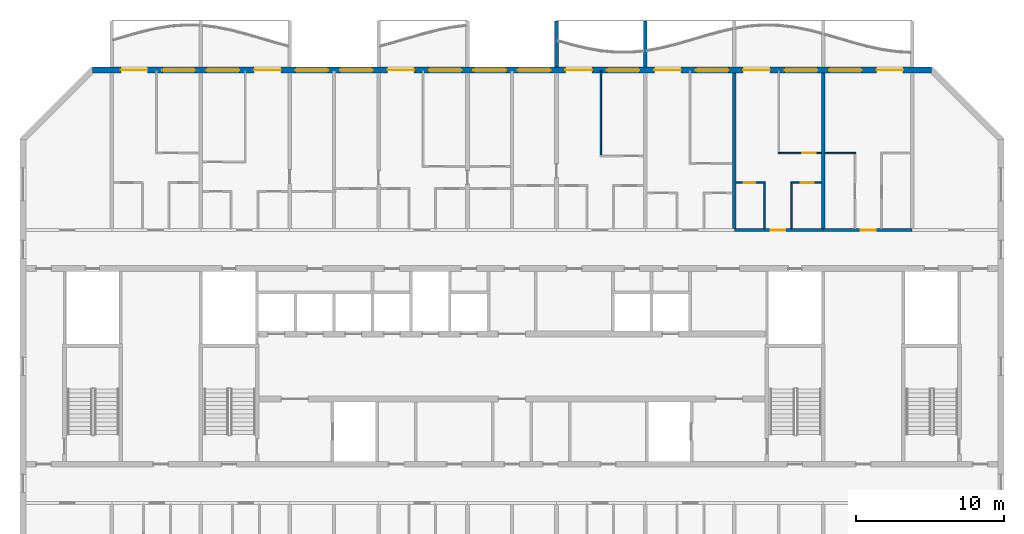
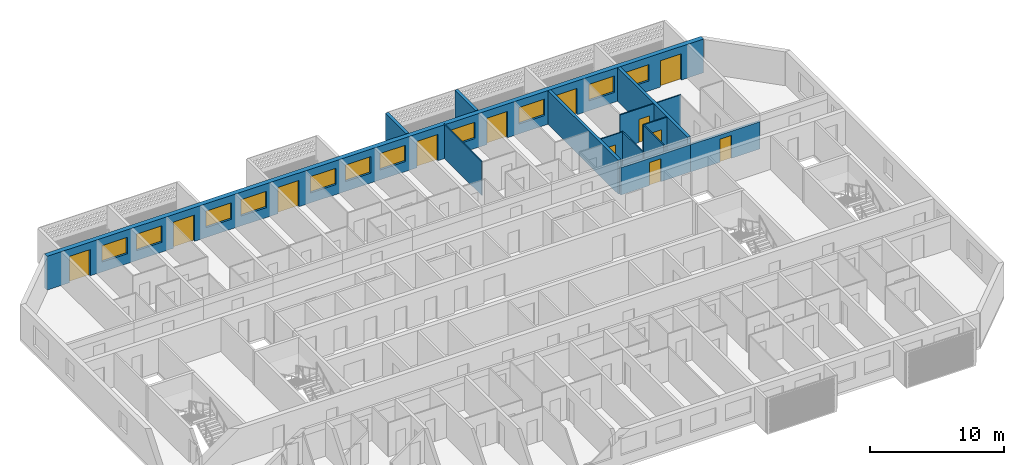
# One storey, part 10 of 28: 14 walls, 12 doors, 11 windows, 23 openings.
"""IFC4 building model written with IfcOpenShell, lengths in metres."""

from ifc_helpers import new_model, si_unit, direction, frame, frame_2d, origin, place, context, subcontext, project, spatial, polyline, rectangle, outline, extrude, source, transform, mapped, material, layer, layer_set, type_object, element, fill, save


model = new_model("IFC4")

# Units and contexts
model_context = context("Model", 3, precision=1e-05, world=origin(), true_north=direction((0.0, 1.0)))
body_context = subcontext(model_context, "Body", "Model", "MODEL_VIEW")
ifc_project = project(units=[si_unit("LENGTHUNIT", "METRE"), si_unit("AREAUNIT", "SQUARE_METRE"), si_unit("VOLUMEUNIT", "CUBIC_METRE"), si_unit("PLANEANGLEUNIT", "RADIAN"), si_unit("MASSUNIT", "GRAM", prefix="KILO")], contexts=[model_context])

# Site, building, storey
site_placement = place(None, origin())
site = spatial("IfcSite", under=ifc_project, at=site_placement, CompositionType="ELEMENT")
building_placement = place(site_placement, origin())
building = spatial("IfcBuilding", under=site, at=building_placement, Name="Poui Terraces", CompositionType="ELEMENT")
storey_placement = place(building_placement, frame((0.0, 0.0, 181.800048828125)))
storey = spatial("IfcBuildingStorey", under=building, at=storey_placement, Name="L50", CompositionType="ELEMENT", Elevation=181.800048828125)

# Wall, opening, door
ifc_material_1 = material(Name="Concrete 50 MPa", Category="concrete")
ifc_layer_1 = layer(ifc_material_1, 0.199951171875)
ifc_layer_set_1 = layer_set([ifc_layer_1], Name="Concrete 50 MPa")
wall_type_1 = type_object("IfcWallType", Name="CORRIDOR WALL 200 50MPa", PredefinedType="SHEAR", material=ifc_layer_set_1)
wall_1_placement = place(storey_placement, frame((66.0, 30.39990234375, 0.0), z_axis=(0.0, 0.0, 1.0), x_axis=(1.0, 0.0, 0.0)))
wall_1 = element("IfcWall", 1, at=wall_1_placement, inside=storey, type_object=wall_type_1, Name="CORRIDOR WALL LINE E BAY 9", PredefinedType="SHEAR", context=body_context, shape_type="SweptSolid", body=[
    extrude(rectangle(XDim=6.0, YDim=0.199951171875, at=frame_2d((3.0, 0.0))), origin(), (0.0, 0.0, 1.0), 2.47998046875),
])
opening_1_placement = place(wall_1_placement, frame((2.449951171875, 0.0, 0.0)))
opening_1 = element("IfcOpeningElement", 2, at=opening_1_placement, cuts=wall_1, Name="Opening FD30S", PredefinedType="OPENING", context=body_context, shape_type="SweptSolid", body=[
    extrude(rectangle(XDim=1.0, YDim=2.10009765625, at=frame_2d((0.5, 1.050048828125))), frame((0.0, 0.10986328125, 0.0), z_axis=(0.0, -1.0, 0.0), x_axis=(1.0, 0.0, 0.0)), (0.0, 0.0, 1.0), 0.219970703125),
])
ifc_material_2 = material(Name="Steel fire door", Category="steel")
door_type_1 = type_object("IfcDoorType", Name="FLAT ENTRANCE DOOR 1000 X 2100", OperationType="NOTDEFINED", PredefinedType="DOOR", material=ifc_material_2)
door_1_placement = place(opening_1_placement, origin())
door_1 = element("IfcDoor", 3, at=door_1_placement, inside=storey, type_object=door_type_1, Name="FLAT ENTRANCE DOOR 057", OperationType="SINGLE_SWING_LEFT", OverallHeight=2.10009765625, OverallWidth=1.0, PredefinedType="DOOR", context=body_context, shape_type="SweptSolid", body=[
    extrude(rectangle(XDim=1.0, YDim=2.10009765625, at=frame_2d((0.5, 1.050048828125))), frame((0.0, 0.02490234375, 0.0), z_axis=(0.0, -1.0, 0.0), x_axis=(1.0, 0.0, 0.0)), (0.0, 0.0, 1.0), 0.050048828125),
])
fill(opening_1, door_1)

wall_2_placement = place(storey_placement, frame((72.0, 30.39990234375, 0.0), z_axis=(0.0, 0.0, 1.0), x_axis=(1.0, 0.0, 0.0)))
wall_2 = element("IfcWall", 4, at=wall_2_placement, inside=storey, type_object=wall_type_1, Name="CORRIDOR WALL LINE E BAY 10", PredefinedType="SHEAR", context=body_context, shape_type="SweptSolid", body=[
    extrude(rectangle(XDim=6.0, YDim=0.199951171875, at=frame_2d((3.0, 0.0))), origin(), (0.0, 0.0, 1.0), 2.47998046875),
])
opening_2_placement = place(wall_2_placement, frame((2.550048828125, 0.0, 0.0)))
opening_2 = element("IfcOpeningElement", 5, at=opening_2_placement, cuts=wall_2, Name="Opening FD30S", PredefinedType="OPENING", context=body_context, shape_type="SweptSolid", body=[
    extrude(rectangle(XDim=1.0, YDim=2.10009765625, at=frame_2d((0.5, 1.050048828125))), frame((0.0, 0.10986328125, 0.0), z_axis=(0.0, -1.0, 0.0), x_axis=(1.0, 0.0, 0.0)), (0.0, 0.0, 1.0), 0.219970703125),
])
door_2_placement = place(opening_2_placement, origin())
door_2 = element("IfcDoor", 6, at=door_2_placement, inside=storey, type_object=door_type_1, Name="FLAT ENTRANCE DOOR 061", OperationType="SINGLE_SWING_RIGHT", OverallHeight=2.10009765625, OverallWidth=1.0, PredefinedType="DOOR", context=body_context, shape_type="SweptSolid", body=[
    extrude(rectangle(XDim=1.0, YDim=2.10009765625, at=frame_2d((0.5, 1.050048828125))), frame((0.0, 0.02490234375, 0.0), z_axis=(0.0, -1.0, 0.0), x_axis=(1.0, 0.0, 0.0)), (0.0, 0.0, 1.0), 0.050048828125),
])
fill(opening_2, door_2)

# Walls
ifc_layer_2 = layer(ifc_material_1, 0.25)
ifc_layer_set_2 = layer_set([ifc_layer_2], Name="Concrete 50 MPa")
wall_type_2 = type_object("IfcWallType", Name="CROSS WALL 250 50MPa", PredefinedType="SHEAR", material=ifc_layer_set_2)
for number, where, z_axis, x_axis, name in (
    (7, (66.0, 30.5, 0.0), (0.0, 0.0, 1.0), (0.0, 1.0, 0.0), "CROSS WALL LINE 12 NORTH"),
    (8, (72.0, 30.5, 0.0), (0.0, 0.0, 1.0), (0.0, 1.0, 0.0), "CROSS WALL LINE 13 NORTH"),
):
    element("IfcWall", number, at=place(storey_placement, frame(where, z_axis=z_axis, x_axis=x_axis)), inside=storey, type_object=wall_type_2, Name=name, PredefinedType="SHEAR", context=body_context, shape_type="SweptSolid", body=[
        extrude(rectangle(XDim=10.5, YDim=0.25, at=frame_2d((5.25, 0.0))), origin(), (0.0, 0.0, 1.0), 3.079833984375),
    ])

# Wall, openings, doors, windows
ifc_material_3 = material(Name="Precast concrete 40 MPa", Category="concrete")
ifc_layer_3 = layer(ifc_material_3, 0.39990234375)
ifc_layer_set_3 = layer_set([ifc_layer_3], Name="Precast concrete 40 MPa")
wall_type_3 = type_object("IfcWallType", Name="EXTERNAL WALL 400", PredefinedType="STANDARD", material=ifc_layer_set_3)
wall_3_placement = place(storey_placement, frame((79.317138671875, 41.199951171875, 0.0), z_axis=(0.0, 0.0, 1.0), x_axis=(-1.0, 0.0, 0.0)))
wall_3 = element("IfcWall", 9, at=wall_3_placement, inside=storey, type_object=wall_type_3, Name="EXTERNAL WALL N", PredefinedType="STANDARD", context=body_context, shape_type="SweptSolid", body=[
    extrude(rectangle(XDim=56.63427734375, YDim=0.39990234375, at=frame_2d((28.317138671875, 0.0))), origin(), (0.0, 0.0, 1.0), 3.079833984375),
])
opening_3_placement = place(wall_3_placement, frame((52.917236328125, 0.0, 0.0)))
opening_3 = element("IfcOpeningElement", 10, at=opening_3_placement, cuts=wall_3, Name="Opening BD1", PredefinedType="OPENING", context=body_context, shape_type="SweptSolid", body=[
    extrude(rectangle(XDim=1.800048828125, YDim=2.39990234375, at=frame_2d((0.89990234375, 1.199951171875))), frame((0.0, 0.2099609375, 0.0), z_axis=(0.0, -1.0, 0.0), x_axis=(1.0, 0.0, 0.0)), (0.0, 0.0, 1.0), 0.419921875),
])
opening_4_placement = place(wall_3_placement, frame((49.71728515625, 0.0, 0.89990234375)))
opening_4 = element("IfcOpeningElement", 11, at=opening_4_placement, cuts=wall_3, Name="Opening W1", PredefinedType="OPENING", context=body_context, shape_type="SweptSolid", body=[
    extrude(rectangle(XDim=2.199951171875, YDim=1.5, at=frame_2d((1.10009765625, 0.75))), frame((0.0, 0.2099609375, 0.0), z_axis=(0.0, -1.0, 0.0), x_axis=(1.0, 0.0, 0.0)), (0.0, 0.0, 1.0), 0.419921875),
])
opening_5_placement = place(wall_3_placement, frame((46.71728515625, 0.0, 0.89990234375)))
opening_5 = element("IfcOpeningElement", 12, at=opening_5_placement, cuts=wall_3, Name="Opening W1", PredefinedType="OPENING", context=body_context, shape_type="SweptSolid", body=[
    extrude(rectangle(XDim=2.199951171875, YDim=1.5, at=frame_2d((1.10009765625, 0.75))), frame((0.0, 0.2099609375, 0.0), z_axis=(0.0, -1.0, 0.0), x_axis=(1.0, 0.0, 0.0)), (0.0, 0.0, 1.0), 0.419921875),
])
opening_6_placement = place(wall_3_placement, frame((43.917236328125, 0.0, 0.0)))
opening_6 = element("IfcOpeningElement", 13, at=opening_6_placement, cuts=wall_3, Name="Opening BD1", PredefinedType="OPENING", context=body_context, shape_type="SweptSolid", body=[
    extrude(rectangle(XDim=1.800048828125, YDim=2.39990234375, at=frame_2d((0.89990234375, 1.199951171875))), frame((0.0, 0.2099609375, 0.0), z_axis=(0.0, -1.0, 0.0), x_axis=(1.0, 0.0, 0.0)), (0.0, 0.0, 1.0), 0.419921875),
])
opening_7_placement = place(wall_3_placement, frame((40.71728515625, 0.0, 0.89990234375)))
opening_7 = element("IfcOpeningElement", 14, at=opening_7_placement, cuts=wall_3, Name="Opening W1", PredefinedType="OPENING", context=body_context, shape_type="SweptSolid", body=[
    extrude(rectangle(XDim=2.199951171875, YDim=1.5, at=frame_2d((1.10009765625, 0.75))), frame((0.0, 0.2099609375, 0.0), z_axis=(0.0, -1.0, 0.0), x_axis=(1.0, 0.0, 0.0)), (0.0, 0.0, 1.0), 0.419921875),
])
opening_8_placement = place(wall_3_placement, frame((37.71728515625, 0.0, 0.89990234375)))
opening_8 = element("IfcOpeningElement", 15, at=opening_8_placement, cuts=wall_3, Name="Opening W1", PredefinedType="OPENING", context=body_context, shape_type="SweptSolid", body=[
    extrude(rectangle(XDim=2.199951171875, YDim=1.5, at=frame_2d((1.10009765625, 0.75))), frame((0.0, 0.2099609375, 0.0), z_axis=(0.0, -1.0, 0.0), x_axis=(1.0, 0.0, 0.0)), (0.0, 0.0, 1.0), 0.419921875),
])
opening_9_placement = place(wall_3_placement, frame((34.917236328125, 0.0, 0.0)))
opening_9 = element("IfcOpeningElement", 16, at=opening_9_placement, cuts=wall_3, Name="Opening BD1", PredefinedType="OPENING", context=body_context, shape_type="SweptSolid", body=[
    extrude(rectangle(XDim=1.800048828125, YDim=2.39990234375, at=frame_2d((0.89990234375, 1.199951171875))), frame((0.0, 0.2099609375, 0.0), z_axis=(0.0, -1.0, 0.0), x_axis=(1.0, 0.0, 0.0)), (0.0, 0.0, 1.0), 0.419921875),
])
opening_10_placement = place(wall_3_placement, frame((31.71728515625, 0.0, 0.89990234375)))
opening_10 = element("IfcOpeningElement", 17, at=opening_10_placement, cuts=wall_3, Name="Opening W1", PredefinedType="OPENING", context=body_context, shape_type="SweptSolid", body=[
    extrude(rectangle(XDim=2.199951171875, YDim=1.5, at=frame_2d((1.10009765625, 0.75))), frame((0.0, 0.2099609375, 0.0), z_axis=(0.0, -1.0, 0.0), x_axis=(1.0, 0.0, 0.0)), (0.0, 0.0, 1.0), 0.419921875),
])
opening_11_placement = place(wall_3_placement, frame((28.71728515625, 0.0, 0.89990234375)))
opening_11 = element("IfcOpeningElement", 18, at=opening_11_placement, cuts=wall_3, Name="Opening W1", PredefinedType="OPENING", context=body_context, shape_type="SweptSolid", body=[
    extrude(rectangle(XDim=2.199951171875, YDim=1.5, at=frame_2d((1.10009765625, 0.75))), frame((0.0, 0.2099609375, 0.0), z_axis=(0.0, -1.0, 0.0), x_axis=(1.0, 0.0, 0.0)), (0.0, 0.0, 1.0), 0.419921875),
])
opening_12_placement = place(wall_3_placement, frame((25.71728515625, 0.0, 0.89990234375)))
opening_12 = element("IfcOpeningElement", 19, at=opening_12_placement, cuts=wall_3, Name="Opening W1", PredefinedType="OPENING", context=body_context, shape_type="SweptSolid", body=[
    extrude(rectangle(XDim=2.199951171875, YDim=1.5, at=frame_2d((1.10009765625, 0.75))), frame((0.0, 0.2099609375, 0.0), z_axis=(0.0, -1.0, 0.0), x_axis=(1.0, 0.0, 0.0)), (0.0, 0.0, 1.0), 0.419921875),
])
opening_13_placement = place(wall_3_placement, frame((22.917236328125, 0.0, 0.0)))
opening_13 = element("IfcOpeningElement", 20, at=opening_13_placement, cuts=wall_3, Name="Opening BD1", PredefinedType="OPENING", context=body_context, shape_type="SweptSolid", body=[
    extrude(rectangle(XDim=1.800048828125, YDim=2.39990234375, at=frame_2d((0.89990234375, 1.199951171875))), frame((0.0, 0.2099609375, 0.0), z_axis=(0.0, -1.0, 0.0), x_axis=(1.0, 0.0, 0.0)), (0.0, 0.0, 1.0), 0.419921875),
])
opening_14_placement = place(wall_3_placement, frame((19.71728515625, 0.0, 0.89990234375)))
opening_14 = element("IfcOpeningElement", 21, at=opening_14_placement, cuts=wall_3, Name="Opening W1", PredefinedType="OPENING", context=body_context, shape_type="SweptSolid", body=[
    extrude(rectangle(XDim=2.199951171875, YDim=1.5, at=frame_2d((1.10009765625, 0.75))), frame((0.0, 0.2099609375, 0.0), z_axis=(0.0, -1.0, 0.0), x_axis=(1.0, 0.0, 0.0)), (0.0, 0.0, 1.0), 0.419921875),
])
opening_15_placement = place(wall_3_placement, frame((16.917236328125, 0.0, 0.0)))
opening_15 = element("IfcOpeningElement", 22, at=opening_15_placement, cuts=wall_3, Name="Opening BD1", PredefinedType="OPENING", context=body_context, shape_type="SweptSolid", body=[
    extrude(rectangle(XDim=1.800048828125, YDim=2.39990234375, at=frame_2d((0.89990234375, 1.199951171875))), frame((0.0, 0.2099609375, 0.0), z_axis=(0.0, -1.0, 0.0), x_axis=(1.0, 0.0, 0.0)), (0.0, 0.0, 1.0), 0.419921875),
])
opening_16_placement = place(wall_3_placement, frame((13.71728515625, 0.0, 0.89990234375)))
opening_16 = element("IfcOpeningElement", 23, at=opening_16_placement, cuts=wall_3, Name="Opening W1", PredefinedType="OPENING", context=body_context, shape_type="SweptSolid", body=[
    extrude(rectangle(XDim=2.199951171875, YDim=1.5, at=frame_2d((1.10009765625, 0.75))), frame((0.0, 0.2099609375, 0.0), z_axis=(0.0, -1.0, 0.0), x_axis=(1.0, 0.0, 0.0)), (0.0, 0.0, 1.0), 0.419921875),
])
opening_17_placement = place(wall_3_placement, frame((10.917236328125, 0.0, 0.0)))
opening_17 = element("IfcOpeningElement", 24, at=opening_17_placement, cuts=wall_3, Name="Opening BD1", PredefinedType="OPENING", context=body_context, shape_type="SweptSolid", body=[
    extrude(rectangle(XDim=1.800048828125, YDim=2.39990234375, at=frame_2d((0.89990234375, 1.199951171875))), frame((0.0, 0.2099609375, 0.0), z_axis=(0.0, -1.0, 0.0), x_axis=(1.0, 0.0, 0.0)), (0.0, 0.0, 1.0), 0.419921875),
])
opening_18_placement = place(wall_3_placement, frame((7.71728515625, 0.0, 0.89990234375)))
opening_18 = element("IfcOpeningElement", 25, at=opening_18_placement, cuts=wall_3, Name="Opening W1", PredefinedType="OPENING", context=body_context, shape_type="SweptSolid", body=[
    extrude(rectangle(XDim=2.199951171875, YDim=1.5, at=frame_2d((1.10009765625, 0.75))), frame((0.0, 0.2099609375, 0.0), z_axis=(0.0, -1.0, 0.0), x_axis=(1.0, 0.0, 0.0)), (0.0, 0.0, 1.0), 0.419921875),
])
opening_19_placement = place(wall_3_placement, frame((4.71728515625, 0.0, 0.89990234375)))
opening_19 = element("IfcOpeningElement", 26, at=opening_19_placement, cuts=wall_3, Name="Opening W1", PredefinedType="OPENING", context=body_context, shape_type="SweptSolid", body=[
    extrude(rectangle(XDim=2.199951171875, YDim=1.5, at=frame_2d((1.10009765625, 0.75))), frame((0.0, 0.2099609375, 0.0), z_axis=(0.0, -1.0, 0.0), x_axis=(1.0, 0.0, 0.0)), (0.0, 0.0, 1.0), 0.419921875),
])
opening_20_placement = place(wall_3_placement, frame((1.917236328125, 0.0, 0.0)))
opening_20 = element("IfcOpeningElement", 27, at=opening_20_placement, cuts=wall_3, Name="Opening BD1", PredefinedType="OPENING", context=body_context, shape_type="SweptSolid", body=[
    extrude(rectangle(XDim=1.800048828125, YDim=2.39990234375, at=frame_2d((0.89990234375, 1.199951171875))), frame((0.0, 0.2099609375, 0.0), z_axis=(0.0, -1.0, 0.0), x_axis=(1.0, 0.0, 0.0)), (0.0, 0.0, 1.0), 0.419921875),
])
ifc_material_4 = material(Name="Clear glass in aluminium frame", Category="aluminium")
door_type_2 = type_object("IfcDoorType", Name="BALCONY DOOR 1800X2400", OperationType="DOUBLE_DOOR_SLIDING", PredefinedType="DOOR", material=ifc_material_4)
door_3_placement = place(opening_3_placement, origin())
door_3 = element("IfcDoor", 28, at=door_3_placement, inside=storey, type_object=door_type_2, Name="BD1 BALCONY DOOR", OperationType="DOUBLE_DOOR_SLIDING", OverallHeight=2.39990234375, OverallWidth=1.800048828125, PredefinedType="DOOR", context=body_context, shape_type="SweptSolid", body=[
    extrude(rectangle(XDim=1.800048828125, YDim=2.39990234375, at=frame_2d((0.89990234375, 1.199951171875))), frame((0.0, 0.02490234375, 0.0), z_axis=(0.0, -1.0, 0.0), x_axis=(1.0, 0.0, 0.0)), (0.0, 0.0, 1.0), 0.050048828125),
])
fill(opening_3, door_3)
door_4_placement = place(opening_6_placement, origin())
door_4 = element("IfcDoor", 29, at=door_4_placement, inside=storey, type_object=door_type_2, Name="BD1 BALCONY DOOR", OperationType="DOUBLE_DOOR_SLIDING", OverallHeight=2.39990234375, OverallWidth=1.800048828125, PredefinedType="DOOR", context=body_context, shape_type="SweptSolid", body=[
    extrude(rectangle(XDim=1.800048828125, YDim=2.39990234375, at=frame_2d((0.89990234375, 1.199951171875))), frame((0.0, 0.02490234375, 0.0), z_axis=(0.0, -1.0, 0.0), x_axis=(1.0, 0.0, 0.0)), (0.0, 0.0, 1.0), 0.050048828125),
])
fill(opening_6, door_4)
door_5_placement = place(opening_9_placement, origin())
door_5 = element("IfcDoor", 30, at=door_5_placement, inside=storey, type_object=door_type_2, Name="BD1 BALCONY DOOR", OperationType="DOUBLE_DOOR_SLIDING", OverallHeight=2.39990234375, OverallWidth=1.800048828125, PredefinedType="DOOR", context=body_context, shape_type="SweptSolid", body=[
    extrude(rectangle(XDim=1.800048828125, YDim=2.39990234375, at=frame_2d((0.89990234375, 1.199951171875))), frame((0.0, 0.02490234375, 0.0), z_axis=(0.0, -1.0, 0.0), x_axis=(1.0, 0.0, 0.0)), (0.0, 0.0, 1.0), 0.050048828125),
])
fill(opening_9, door_5)
door_6_placement = place(opening_13_placement, origin())
door_6 = element("IfcDoor", 31, at=door_6_placement, inside=storey, type_object=door_type_2, Name="BD1 BALCONY DOOR", OperationType="DOUBLE_DOOR_SLIDING", OverallHeight=2.39990234375, OverallWidth=1.800048828125, PredefinedType="DOOR", context=body_context, shape_type="SweptSolid", body=[
    extrude(rectangle(XDim=1.800048828125, YDim=2.39990234375, at=frame_2d((0.89990234375, 1.199951171875))), frame((0.0, 0.02490234375, 0.0), z_axis=(0.0, -1.0, 0.0), x_axis=(1.0, 0.0, 0.0)), (0.0, 0.0, 1.0), 0.050048828125),
])
fill(opening_13, door_6)
door_7_placement = place(opening_15_placement, origin())
door_7 = element("IfcDoor", 32, at=door_7_placement, inside=storey, type_object=door_type_2, Name="BD1 BALCONY DOOR", OperationType="DOUBLE_DOOR_SLIDING", OverallHeight=2.39990234375, OverallWidth=1.800048828125, PredefinedType="DOOR", context=body_context, shape_type="SweptSolid", body=[
    extrude(rectangle(XDim=1.800048828125, YDim=2.39990234375, at=frame_2d((0.89990234375, 1.199951171875))), frame((0.0, 0.02490234375, 0.0), z_axis=(0.0, -1.0, 0.0), x_axis=(1.0, 0.0, 0.0)), (0.0, 0.0, 1.0), 0.050048828125),
])
fill(opening_15, door_7)
door_8_placement = place(opening_17_placement, origin())
door_8 = element("IfcDoor", 33, at=door_8_placement, inside=storey, type_object=door_type_2, Name="BD1 BALCONY DOOR", OperationType="DOUBLE_DOOR_SLIDING", OverallHeight=2.39990234375, OverallWidth=1.800048828125, PredefinedType="DOOR", context=body_context, shape_type="SweptSolid", body=[
    extrude(rectangle(XDim=1.800048828125, YDim=2.39990234375, at=frame_2d((0.89990234375, 1.199951171875))), frame((0.0, 0.02490234375, 0.0), z_axis=(0.0, -1.0, 0.0), x_axis=(1.0, 0.0, 0.0)), (0.0, 0.0, 1.0), 0.050048828125),
])
fill(opening_17, door_8)
door_9_placement = place(opening_20_placement, origin())
door_9 = element("IfcDoor", 34, at=door_9_placement, inside=storey, type_object=door_type_2, Name="BD1 BALCONY DOOR", OperationType="DOUBLE_DOOR_SLIDING", OverallHeight=2.39990234375, OverallWidth=1.800048828125, PredefinedType="DOOR", context=body_context, shape_type="SweptSolid", body=[
    extrude(rectangle(XDim=1.800048828125, YDim=2.39990234375, at=frame_2d((0.89990234375, 1.199951171875))), frame((0.0, 0.02490234375, 0.0), z_axis=(0.0, -1.0, 0.0), x_axis=(1.0, 0.0, 0.0)), (0.0, 0.0, 1.0), 0.050048828125),
])
fill(opening_20, door_9)
window_type = type_object("IfcWindowType", Name="WINDOW 2200X1500", PartitioningType="DOUBLE_PANEL_HORIZONTAL", PredefinedType="WINDOW", material=ifc_material_4)
window_1_placement = place(opening_4_placement, origin())
window_1 = element("IfcWindow", 35, at=window_1_placement, inside=storey, type_object=window_type, Name="W1 WINDOW", OverallHeight=1.5, OverallWidth=2.199951171875, PartitioningType="DOUBLE_PANEL_HORIZONTAL", PredefinedType="WINDOW", context=body_context, shape_type="SweptSolid", body=[
    extrude(rectangle(XDim=2.199951171875, YDim=1.5, at=frame_2d((1.10009765625, 0.75))), frame((0.0, 0.030029296875, 0.0), z_axis=(0.0, -1.0, 0.0), x_axis=(1.0, 0.0, 0.0)), (0.0, 0.0, 1.0), 0.06005859375),
])
fill(opening_4, window_1)
window_2_placement = place(opening_5_placement, origin())
window_2 = element("IfcWindow", 36, at=window_2_placement, inside=storey, type_object=window_type, Name="W1 WINDOW", OverallHeight=1.5, OverallWidth=2.199951171875, PartitioningType="DOUBLE_PANEL_HORIZONTAL", PredefinedType="WINDOW", context=body_context, shape_type="SweptSolid", body=[
    extrude(rectangle(XDim=2.199951171875, YDim=1.5, at=frame_2d((1.10009765625, 0.75))), frame((0.0, 0.030029296875, 0.0), z_axis=(0.0, -1.0, 0.0), x_axis=(1.0, 0.0, 0.0)), (0.0, 0.0, 1.0), 0.06005859375),
])
fill(opening_5, window_2)
window_3_placement = place(opening_7_placement, origin())
window_3 = element("IfcWindow", 37, at=window_3_placement, inside=storey, type_object=window_type, Name="W1 WINDOW", OverallHeight=1.5, OverallWidth=2.199951171875, PartitioningType="DOUBLE_PANEL_HORIZONTAL", PredefinedType="WINDOW", context=body_context, shape_type="SweptSolid", body=[
    extrude(rectangle(XDim=2.199951171875, YDim=1.5, at=frame_2d((1.10009765625, 0.75))), frame((0.0, 0.030029296875, 0.0), z_axis=(0.0, -1.0, 0.0), x_axis=(1.0, 0.0, 0.0)), (0.0, 0.0, 1.0), 0.06005859375),
])
fill(opening_7, window_3)
window_4_placement = place(opening_8_placement, origin())
window_4 = element("IfcWindow", 38, at=window_4_placement, inside=storey, type_object=window_type, Name="W1 WINDOW", OverallHeight=1.5, OverallWidth=2.199951171875, PartitioningType="DOUBLE_PANEL_HORIZONTAL", PredefinedType="WINDOW", context=body_context, shape_type="SweptSolid", body=[
    extrude(rectangle(XDim=2.199951171875, YDim=1.5, at=frame_2d((1.10009765625, 0.75))), frame((0.0, 0.030029296875, 0.0), z_axis=(0.0, -1.0, 0.0), x_axis=(1.0, 0.0, 0.0)), (0.0, 0.0, 1.0), 0.06005859375),
])
fill(opening_8, window_4)
window_5_placement = place(opening_10_placement, origin())
window_5 = element("IfcWindow", 39, at=window_5_placement, inside=storey, type_object=window_type, Name="W1 WINDOW", OverallHeight=1.5, OverallWidth=2.199951171875, PartitioningType="DOUBLE_PANEL_HORIZONTAL", PredefinedType="WINDOW", context=body_context, shape_type="SweptSolid", body=[
    extrude(rectangle(XDim=2.199951171875, YDim=1.5, at=frame_2d((1.10009765625, 0.75))), frame((0.0, 0.030029296875, 0.0), z_axis=(0.0, -1.0, 0.0), x_axis=(1.0, 0.0, 0.0)), (0.0, 0.0, 1.0), 0.06005859375),
])
fill(opening_10, window_5)
window_6_placement = place(opening_11_placement, origin())
window_6 = element("IfcWindow", 40, at=window_6_placement, inside=storey, type_object=window_type, Name="W1 WINDOW", OverallHeight=1.5, OverallWidth=2.199951171875, PartitioningType="DOUBLE_PANEL_HORIZONTAL", PredefinedType="WINDOW", context=body_context, shape_type="SweptSolid", body=[
    extrude(rectangle(XDim=2.199951171875, YDim=1.5, at=frame_2d((1.10009765625, 0.75))), frame((0.0, 0.030029296875, 0.0), z_axis=(0.0, -1.0, 0.0), x_axis=(1.0, 0.0, 0.0)), (0.0, 0.0, 1.0), 0.06005859375),
])
fill(opening_11, window_6)
window_7_placement = place(opening_12_placement, origin())
window_7 = element("IfcWindow", 41, at=window_7_placement, inside=storey, type_object=window_type, Name="W1 WINDOW", OverallHeight=1.5, OverallWidth=2.199951171875, PartitioningType="DOUBLE_PANEL_HORIZONTAL", PredefinedType="WINDOW", context=body_context, shape_type="SweptSolid", body=[
    extrude(rectangle(XDim=2.199951171875, YDim=1.5, at=frame_2d((1.10009765625, 0.75))), frame((0.0, 0.030029296875, 0.0), z_axis=(0.0, -1.0, 0.0), x_axis=(1.0, 0.0, 0.0)), (0.0, 0.0, 1.0), 0.06005859375),
])
fill(opening_12, window_7)
window_8_placement = place(opening_14_placement, origin())
window_8 = element("IfcWindow", 42, at=window_8_placement, inside=storey, type_object=window_type, Name="W1 WINDOW", OverallHeight=1.5, OverallWidth=2.199951171875, PartitioningType="DOUBLE_PANEL_HORIZONTAL", PredefinedType="WINDOW", context=body_context, shape_type="SweptSolid", body=[
    extrude(rectangle(XDim=2.199951171875, YDim=1.5, at=frame_2d((1.10009765625, 0.75))), frame((0.0, 0.030029296875, 0.0), z_axis=(0.0, -1.0, 0.0), x_axis=(1.0, 0.0, 0.0)), (0.0, 0.0, 1.0), 0.06005859375),
])
fill(opening_14, window_8)
window_9_placement = place(opening_16_placement, origin())
window_9 = element("IfcWindow", 43, at=window_9_placement, inside=storey, type_object=window_type, Name="W1 WINDOW", OverallHeight=1.5, OverallWidth=2.199951171875, PartitioningType="DOUBLE_PANEL_HORIZONTAL", PredefinedType="WINDOW", context=body_context, shape_type="SweptSolid", body=[
    extrude(rectangle(XDim=2.199951171875, YDim=1.5, at=frame_2d((1.10009765625, 0.75))), frame((0.0, 0.030029296875, 0.0), z_axis=(0.0, -1.0, 0.0), x_axis=(1.0, 0.0, 0.0)), (0.0, 0.0, 1.0), 0.06005859375),
])
fill(opening_16, window_9)
window_10_placement = place(opening_18_placement, origin())
window_10 = element("IfcWindow", 44, at=window_10_placement, inside=storey, type_object=window_type, Name="W1 WINDOW", OverallHeight=1.5, OverallWidth=2.199951171875, PartitioningType="DOUBLE_PANEL_HORIZONTAL", PredefinedType="WINDOW", context=body_context, shape_type="SweptSolid", body=[
    extrude(rectangle(XDim=2.199951171875, YDim=1.5, at=frame_2d((1.10009765625, 0.75))), frame((0.0, 0.030029296875, 0.0), z_axis=(0.0, -1.0, 0.0), x_axis=(1.0, 0.0, 0.0)), (0.0, 0.0, 1.0), 0.06005859375),
])
fill(opening_18, window_10)
window_11_placement = place(opening_19_placement, origin())
window_11 = element("IfcWindow", 45, at=window_11_placement, inside=storey, type_object=window_type, Name="W1 WINDOW", OverallHeight=1.5, OverallWidth=2.199951171875, PartitioningType="DOUBLE_PANEL_HORIZONTAL", PredefinedType="WINDOW", context=body_context, shape_type="SweptSolid", body=[
    extrude(rectangle(XDim=2.199951171875, YDim=1.5, at=frame_2d((1.10009765625, 0.75))), frame((0.0, 0.030029296875, 0.0), z_axis=(0.0, -1.0, 0.0), x_axis=(1.0, 0.0, 0.0)), (0.0, 0.0, 1.0), 0.06005859375),
])
fill(opening_19, window_11)

# Wall, opening, door
ifc_material_5 = material(Name="Plasterboard partition")
ifc_layer_4 = layer(ifc_material_5, 0.10009765625)
ifc_layer_set_4 = layer_set([ifc_layer_4], Name="Plasterboard partition")
wall_type_4 = type_object("IfcWallType", Name="FLAT PARTITION 100", PredefinedType="PARTITIONING", material=ifc_layer_set_4)
wall_4_placement = place(storey_placement, frame((66.135009765625, 33.60009765625, 0.0), z_axis=(0.0, 0.0, 1.0), x_axis=(1.0, 0.0, 0.0)))
wall_4 = element("IfcWall", 46, at=wall_4_placement, inside=storey, type_object=wall_type_4, Name="FLAT PARTITION 100", PredefinedType="PARTITIONING", context=body_context, shape_type="SweptSolid", body=[
    extrude(rectangle(XDim=1.965087890625, YDim=0.10009765625, at=frame_2d((0.982421875, 0.0))), origin(), (0.0, 0.0, 1.0), 3.079833984375),
])
opening_21_placement = place(wall_4_placement, frame((0.489990234375, 0.0, 0.0)))
opening_21 = element("IfcOpeningElement", 47, at=opening_21_placement, cuts=wall_4, Name="Opening D80", PredefinedType="OPENING", context=body_context, shape_type="SweptSolid", body=[
    extrude(rectangle(XDim=0.800048828125, YDim=2.10009765625, at=frame_2d((0.39990234375, 1.050048828125))), frame((0.0, 0.06005859375, 0.0), z_axis=(0.0, -1.0, 0.0), x_axis=(1.0, 0.0, 0.0)), (0.0, 0.0, 1.0), 0.1201171875),
])
ifc_material_6 = material(Name="Solid core timber door", Category="wood")
door_type_3 = type_object("IfcDoorType", Name="BATHROOM, LAUNDRY AND STORE DOOR 800 X 2100", OperationType="NOTDEFINED", PredefinedType="DOOR", material=ifc_material_6)
door_10_placement = place(opening_21_placement, frame((0.800048828125, 0.0, 0.0), z_axis=(0.0, 0.0, 1.0), x_axis=(-1.0, 0.0, 0.0)))
door_10 = element("IfcDoor", 48, at=door_10_placement, inside=storey, type_object=door_type_3, Name="BATHROOM, LAUNDRY AND STORE DOOR 056", OperationType="SINGLE_SWING_RIGHT", OverallHeight=2.10009765625, OverallWidth=0.800048828125, PredefinedType="DOOR", context=body_context, shape_type="SweptSolid", body=[
    extrude(rectangle(XDim=0.800048828125, YDim=2.10009765625, at=frame_2d((0.39990234375, 1.050048828125))), frame((0.0, 0.02490234375, 0.0), z_axis=(0.0, -1.0, 0.0), x_axis=(1.0, 0.0, 0.0)), (0.0, 0.0, 1.0), 0.050048828125),
])
fill(opening_21, door_10)

wall_5_placement = place(storey_placement, frame((69.800048828125, 33.60009765625, 0.0), z_axis=(0.0, 0.0, 1.0), x_axis=(1.0, 0.0, 0.0)))
wall_5 = element("IfcWall", 49, at=wall_5_placement, inside=storey, type_object=wall_type_4, Name="FLAT PARTITION 100", PredefinedType="PARTITIONING", context=body_context, shape_type="SweptSolid", body=[
    extrude(rectangle(XDim=2.06494140625, YDim=0.10009765625, at=frame_2d((1.032470703125, 0.0))), origin(), (0.0, 0.0, 1.0), 3.079833984375),
])
opening_22_placement = place(wall_5_placement, frame((0.675048828125, 0.0, 0.0)))
opening_22 = element("IfcOpeningElement", 50, at=opening_22_placement, cuts=wall_5, Name="Opening D90", PredefinedType="OPENING", context=body_context, shape_type="SweptSolid", body=[
    extrude(rectangle(XDim=0.89990234375, YDim=2.10009765625, at=frame_2d((0.449951171875, 1.050048828125))), frame((0.0, 0.06005859375, 0.0), z_axis=(0.0, -1.0, 0.0), x_axis=(1.0, 0.0, 0.0)), (0.0, 0.0, 1.0), 0.1201171875),
])
door_type_4 = type_object("IfcDoorType", Name="INTERNAL DOOR 900 X 2100", OperationType="NOTDEFINED", PredefinedType="DOOR", material=ifc_material_6)
door_11_placement = place(opening_22_placement, frame((0.89990234375, 0.0, 0.0), z_axis=(0.0, 0.0, 1.0), x_axis=(-1.0, 0.0, 0.0)))
door_11 = element("IfcDoor", 51, at=door_11_placement, inside=storey, type_object=door_type_4, Name="INTERNAL DOOR 058", OperationType="SINGLE_SWING_LEFT", OverallHeight=2.10009765625, OverallWidth=0.89990234375, PredefinedType="DOOR", context=body_context, shape_type="SweptSolid", body=[
    extrude(rectangle(XDim=0.89990234375, YDim=2.10009765625, at=frame_2d((0.449951171875, 1.050048828125))), frame((0.0, 0.02490234375, 0.0), z_axis=(0.0, -1.0, 0.0), x_axis=(1.0, 0.0, 0.0)), (0.0, 0.0, 1.0), 0.050048828125),
])
fill(opening_22, door_11)

wall_6_placement = place(storey_placement, frame((68.949951171875, 35.60009765625, 0.0), z_axis=(0.0, 0.0, 1.0), x_axis=(1.0, 0.0, 0.0)))
wall_6 = element("IfcWall", 52, at=wall_6_placement, inside=storey, type_object=wall_type_4, Name="FLAT PARTITION 100", PredefinedType="PARTITIONING", context=body_context, shape_type="SweptSolid", body=[
    extrude(rectangle(XDim=2.9150390625, YDim=0.10009765625, at=frame_2d((1.45751953125, 0.0))), origin(), (0.0, 0.0, 1.0), 3.079833984375),
])
opening_23_placement = place(wall_6_placement, frame((1.64990234375, 0.0, 0.0)))
opening_23 = element("IfcOpeningElement", 53, at=opening_23_placement, cuts=wall_6, Name="Opening D90", PredefinedType="OPENING", context=body_context, shape_type="SweptSolid", body=[
    extrude(rectangle(XDim=0.89990234375, YDim=2.10009765625, at=frame_2d((0.449951171875, 1.050048828125))), frame((0.0, 0.06005859375, 0.0), z_axis=(0.0, -1.0, 0.0), x_axis=(1.0, 0.0, 0.0)), (0.0, 0.0, 1.0), 0.1201171875),
])
door_12_placement = place(opening_23_placement, frame((0.89990234375, 0.0, 0.0), z_axis=(0.0, 0.0, 1.0), x_axis=(-1.0, 0.0, 0.0)))
door_12 = element("IfcDoor", 54, at=door_12_placement, inside=storey, type_object=door_type_4, Name="INTERNAL DOOR 059", OperationType="SINGLE_SWING_RIGHT", OverallHeight=2.10009765625, OverallWidth=0.89990234375, PredefinedType="DOOR", context=body_context, shape_type="SweptSolid", body=[
    extrude(rectangle(XDim=0.89990234375, YDim=2.10009765625, at=frame_2d((0.449951171875, 1.050048828125))), frame((0.0, 0.02490234375, 0.0), z_axis=(0.0, -1.0, 0.0), x_axis=(1.0, 0.0, 0.0)), (0.0, 0.0, 1.0), 0.050048828125),
])
fill(opening_23, door_12)

# Walls
wall_7_placement = place(storey_placement, frame((72.135009765625, 35.60009765625, 0.0), z_axis=(0.0, 0.0, 1.0), x_axis=(1.0, 0.0, 0.0)))
element("IfcWall", 55, at=wall_7_placement, inside=storey, type_object=wall_type_4, Name="FLAT PARTITION 100", PredefinedType="PARTITIONING", context=body_context, shape_type="SweptSolid", body=[
    extrude(rectangle(XDim=2.06494140625, YDim=0.10009765625, at=frame_2d((1.032470703125, 0.0))), origin(), (0.0, 0.0, 1.0), 3.079833984375),
])
wall_8_placement = place(storey_placement, frame((57.0, 35.449951171875, 0.0), z_axis=(0.0, 0.0, 1.0), x_axis=(0.0, 1.0, 0.0)))
element("IfcWall", 56, at=wall_8_placement, inside=storey, type_object=wall_type_4, Name="FLAT PARTITION 100", PredefinedType="PARTITIONING", context=body_context, shape_type="SweptSolid", body=[
    extrude(rectangle(XDim=5.68994140625, YDim=0.10009765625, at=frame_2d((2.844970703125, 0.0))), origin(), (0.0, 0.0, 1.0), 3.079833984375),
])
for number, where, z_axis, x_axis, name in (
    (57, (68.050048828125, 30.510009765625, 0.0), (0.0, 0.0, 1.0), (0.0, 1.0, 0.0), "FLAT PARTITION 100"),
    (58, (69.85009765625, 30.510009765625, 0.0), (0.0, 0.0, 1.0), (0.0, 1.0, 0.0), "FLAT PARTITION 100"),
):
    element("IfcWall", number, at=place(storey_placement, frame(where, z_axis=z_axis, x_axis=x_axis)), inside=storey, type_object=wall_type_4, Name=name, PredefinedType="PARTITIONING", context=body_context, shape_type="SweptSolid", body=[
        extrude(rectangle(XDim=3.0400390625, YDim=0.10009765625, at=frame_2d((1.52001953125, 0.0))), origin(), (0.0, 0.0, 1.0), 3.079833984375),
    ])
ifc_layer_5 = layer(ifc_material_3, 0.25)
ifc_layer_set_5 = layer_set([ifc_layer_5], Name="Precast concrete 40 MPa")
wall_type_5 = type_object("IfcWallType", Name="BALCONY FIN 250", PredefinedType="STANDARD", material=ifc_layer_set_5)
shared_shape = source(origin(), body_context, "Body", "SweptSolid", [
    extrude(outline(polyline([(0.0, 0.0), (0.25, 0.0), (0.25, 3.10009765625), (0.0, 3.10009765625), (0.0, 0.0)])), origin(), (0.0, 0.0, 1.0), 3.099853515625),
])
for number, where, name in (
    (59, (53.875, 41.39990234375, 0.0), "BALCONY FIN"),
    (60, (59.875, 41.39990234375, 0.0), "BALCONY FIN"),
):
    element("IfcWall", number, at=place(storey_placement, frame(where)), inside=storey, type_object=wall_type_5, Name=name, PredefinedType="STANDARD", context=body_context, shape_type="MappedRepresentation", body=[
        mapped(shared_shape, transform((0.0, 0.0, 0.0))),
    ])

save(model, "model.ifc")
